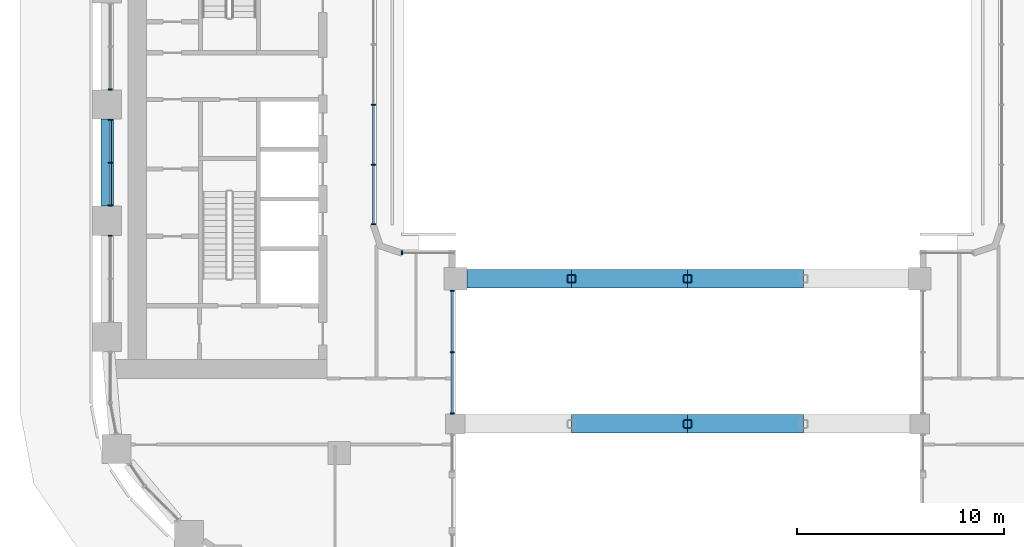
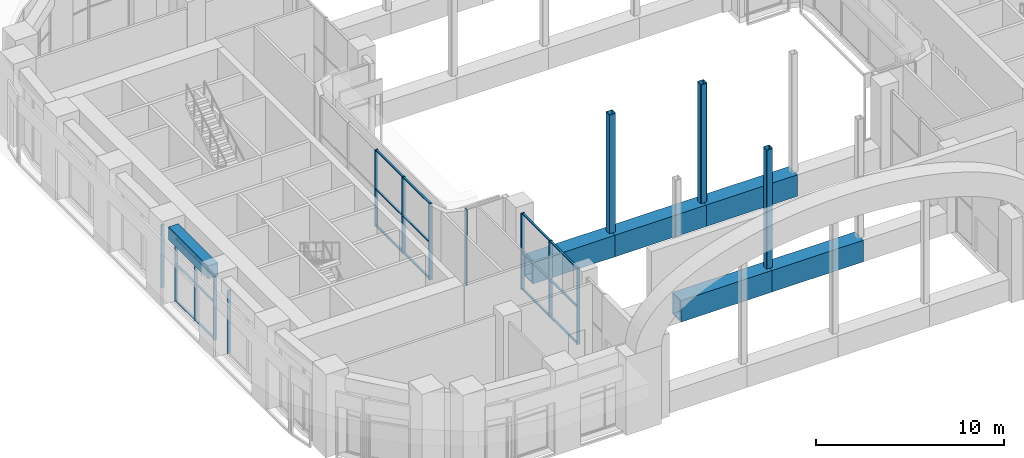
# One storey, part 3 of 27: 38 members, 1 beam, 6 elements without a shape of their own.
"""IFC4 building model written with IfcOpenShell, lengths in metres."""

from ifc_helpers import new_model, si_unit, direction, frame, origin, origin_2d, place, context, subcontext, project, spatial, rectangle, hollow_rectangle, extrude, material, layer, layer_set, material_profile, profile_set, type_object, element, aggregate, save


model = new_model("IFC4")

# Units and contexts
model_context = context("Model", 3, precision=1e-05, world=origin(), true_north=direction((0.0, 1.0)))
body_context = subcontext(model_context, "Body", "Model", "MODEL_VIEW")
ifc_project = project(units=[si_unit("LENGTHUNIT", "METRE"), si_unit("AREAUNIT", "SQUARE_METRE"), si_unit("VOLUMEUNIT", "CUBIC_METRE"), si_unit("PLANEANGLEUNIT", "RADIAN"), si_unit("MASSUNIT", "GRAM", prefix="KILO")], contexts=[model_context])

# Site, building, storey
site_placement = place(None, origin())
site = spatial("IfcSite", under=ifc_project, at=site_placement, CompositionType="ELEMENT")
building_placement = place(site_placement, origin())
building = spatial("IfcBuilding", under=site, at=building_placement, Name="Kiln Ring Residences", CompositionType="ELEMENT")
storey_placement = place(building_placement, frame((0.0, 0.0, 72.5)))
storey = spatial("IfcBuildingStorey", under=building, at=storey_placement, Name="L18", CompositionType="ELEMENT", Elevation=72.5)

# Members
ifc_material_1 = material(Name="Steel S460", Category="steel")
ifc_material_profile_1 = material_profile(ifc_material_1, hollow_rectangle(XDim=0.89990234375, YDim=1.39990234375, WallThickness=0.080078125, at=origin_2d()), Name="BOX1400x900x80")
ifc_profile_set_1 = profile_set([ifc_material_profile_1], Name="Steel S460")
member_type_1 = type_object("IfcMemberType", Name="Bridge truss chord BOX1400x900x80 S460", PredefinedType="CHORD", material=ifc_profile_set_1)
for number, where, z_axis, x_axis, name in (
    (1, (-5.60009765625, -15.39990234375, 0.699951171875), (1.0, 0.0, 0.0), (0.0, 1.0, 0.0), "Bridge truss chord L18 6"),
    (2, (0.0, -15.39990234375, 0.699951171875), (1.0, 0.0, 0.0), (0.0, 1.0, 0.0), "Bridge truss chord L18 7"),
):
    element("IfcMember", number, at=place(storey_placement, frame(where, z_axis=z_axis, x_axis=x_axis)), inside=storey, type_object=member_type_1, Name=name, PredefinedType="CHORD", context=body_context, shape_type="SweptSolid", body=[
        extrude(hollow_rectangle(XDim=0.89990234375, YDim=1.39990234375, WallThickness=0.080078125, at=origin_2d()), origin(), (0.0, 0.0, 1.0), 5.60009765625),
    ])
member_1_placement = place(storey_placement, frame((-10.64990234375, -8.39990234375, 0.699951171875), z_axis=(1.0, 0.0, 0.0), x_axis=(0.0, 1.0, 0.0)))
element("IfcMember", 3, at=member_1_placement, inside=storey, type_object=member_type_1, Name="Bridge truss chord L18 9", PredefinedType="CHORD", context=body_context, shape_type="SweptSolid", body=[
    extrude(hollow_rectangle(XDim=0.89990234375, YDim=1.39990234375, WallThickness=0.080078125, at=origin_2d()), origin(), (0.0, 0.0, 1.0), 5.0498046875),
])
for number, where, z_axis, x_axis, name in (
    (4, (-5.60009765625, -8.39990234375, 0.699951171875), (1.0, 0.0, 0.0), (0.0, 1.0, 0.0), "Bridge truss chord L18 10"),
    (5, (0.0, -8.39990234375, 0.699951171875), (1.0, 0.0, 0.0), (0.0, 1.0, 0.0), "Bridge truss chord L18 11"),
):
    element("IfcMember", number, at=place(storey_placement, frame(where, z_axis=z_axis, x_axis=x_axis)), inside=storey, type_object=member_type_1, Name=name, PredefinedType="CHORD", context=body_context, shape_type="SweptSolid", body=[
        extrude(hollow_rectangle(XDim=0.89990234375, YDim=1.39990234375, WallThickness=0.080078125, at=origin_2d()), origin(), (0.0, 0.0, 1.0), 5.60009765625),
    ])
ifc_material_2 = material(Name="Steel S355", Category="steel")
ifc_material_profile_2 = material_profile(ifc_material_2, hollow_rectangle(XDim=0.39990234375, YDim=0.39990234375, WallThickness=0.02490234375, InnerFilletRadius=0.02490234375, OuterFilletRadius=0.0625, at=origin_2d()), Name="SHS400x400x25")
ifc_profile_set_2 = profile_set([ifc_material_profile_2], Name="Steel S355")
member_type_2 = type_object("IfcMemberType", Name="Bridge truss post SHS400x400x25 S355", PredefinedType="POST", material=ifc_profile_set_2)
for number, where, z_axis, x_axis, name in (
    (6, (0.0, -15.39990234375, 1.39990234375), (0.0, 0.0, 1.0), (1.0, 0.0, 0.0), "Bridge truss post L18 5"),
    (7, (-5.60009765625, -8.39990234375, 1.39990234375), (0.0, 0.0, 1.0), (1.0, 0.0, 0.0), "Bridge truss post L18 7"),
    (8, (0.0, -8.39990234375, 1.39990234375), (0.0, 0.0, 1.0), (1.0, 0.0, 0.0), "Bridge truss post L18 8"),
):
    element("IfcMember", number, at=place(storey_placement, frame(where, z_axis=z_axis, x_axis=x_axis)), inside=storey, type_object=member_type_2, Name=name, PredefinedType="POST", context=body_context, shape_type="SweptSolid", body=[
        extrude(hollow_rectangle(XDim=0.39990234375, YDim=0.39990234375, WallThickness=0.02490234375, InnerFilletRadius=0.02490234375, OuterFilletRadius=0.0625, at=origin_2d()), origin(), (0.0, 0.0, 1.0), 7.7001953125),
    ])

# Curtain wall, members
ifc_material_3 = material(Name="Aluminium and glass", Category="aluminium")
ifc_layer = layer(ifc_material_3, 0.199951171875)
ifc_layer_set = layer_set([ifc_layer], Name="CW1 CURTAIN WALL")
curtain_wall_type = type_object("IfcCurtainWallType", Name="CW1 CURTAIN WALL", PredefinedType="NOTDEFINED", material=ifc_layer_set)
placement = place(storey_placement, origin())
curtain_wall_1 = element("IfcCurtainWall", 9, at=placement, inside=storey, type_object=curtain_wall_type, Name="Curtain wall CW1 L18", PredefinedType="NOTDEFINED")
ifc_material_4 = material(Name="Aluminium 6063-T6", Category="aluminium")
ifc_material_profile_3 = material_profile(ifc_material_4, rectangle(XDim=0.199951171875, YDim=0.06005859375, at=origin_2d()), Name="AL 200x60")
ifc_profile_set_3 = profile_set([ifc_material_profile_3], Name="Aluminium 6063-T6")
member_type_3 = type_object("IfcMemberType", Name="CW1 MULLION 200 x 60", PredefinedType="MULLION", material=ifc_profile_set_3)
member_2_placement = place(storey_placement, frame((-11.35009765625, -14.89501953125, 0.0), z_axis=(0.0, 0.0, 1.0), x_axis=(-1.0, 0.0, 0.0)))
member_2 = element("IfcMember", 10, at=member_2_placement, type_object=member_type_3, Name="CW1 mullion 1", PredefinedType="MULLION", context=body_context, shape_type="SweptSolid", body=[
    extrude(rectangle(XDim=0.199951171875, YDim=0.06005859375, at=origin_2d()), origin(), (0.0, 0.0, 1.0), 4.949951171875),
])
member_3_placement = place(storey_placement, frame((-11.35009765625, -11.9375, 0.0), z_axis=(0.0, 0.0, 1.0), x_axis=(-1.0, 0.0, 0.0)))
member_3 = element("IfcMember", 11, at=member_3_placement, type_object=member_type_3, Name="CW1 mullion 2", PredefinedType="MULLION", context=body_context, shape_type="SweptSolid", body=[
    extrude(rectangle(XDim=0.199951171875, YDim=0.06005859375, at=origin_2d()), origin(), (0.0, 0.0, 1.0), 4.949951171875),
])
member_4_placement = place(storey_placement, frame((-11.35009765625, -8.97998046875, 0.0), z_axis=(0.0, 0.0, 1.0), x_axis=(-1.0, 0.0, 0.0)))
member_4 = element("IfcMember", 12, at=member_4_placement, type_object=member_type_3, Name="CW1 mullion 3", PredefinedType="MULLION", context=body_context, shape_type="SweptSolid", body=[
    extrude(rectangle(XDim=0.199951171875, YDim=0.06005859375, at=origin_2d()), origin(), (0.0, 0.0, 1.0), 4.949951171875),
])

# Curtain wall, member
curtain_wall_2 = element("IfcCurtainWall", 13, at=placement, inside=storey, type_object=curtain_wall_type, Name="Curtain wall CW1 L18", PredefinedType="NOTDEFINED")
member_5_placement = place(storey_placement, frame((-13.77001953125, -7.14990234375, 0.0), z_axis=(0.0, 0.0, 1.0), x_axis=(0.0, -1.0, 0.0)))
member_5 = element("IfcMember", 14, at=member_5_placement, type_object=member_type_3, Name="CW1 mullion 2", PredefinedType="MULLION", context=body_context, shape_type="SweptSolid", body=[
    extrude(rectangle(XDim=0.199951171875, YDim=0.06005859375, at=origin_2d()), origin(), (0.0, 0.0, 1.0), 4.949951171875),
])
aggregate(curtain_wall_2, [member_5])

# Curtain wall, members
curtain_wall_3 = element("IfcCurtainWall", 15, at=placement, inside=storey, type_object=curtain_wall_type, Name="Curtain wall CW1 L18", PredefinedType="NOTDEFINED")
member_6_placement = place(storey_placement, frame((-15.14990234375, -5.77001953125, 0.0), z_axis=(0.0, 0.0, 1.0), x_axis=(-1.0, 0.0, 0.0)))
member_6 = element("IfcMember", 16, at=member_6_placement, type_object=member_type_3, Name="CW1 mullion 1", PredefinedType="MULLION", context=body_context, shape_type="SweptSolid", body=[
    extrude(rectangle(XDim=0.199951171875, YDim=0.06005859375, at=origin_2d()), origin(), (0.0, 0.0, 1.0), 4.949951171875),
])
member_7_placement = place(storey_placement, frame((-15.14990234375, -2.89990234375, 0.0), z_axis=(0.0, 0.0, 1.0), x_axis=(-1.0, 0.0, 0.0)))
member_7 = element("IfcMember", 17, at=member_7_placement, type_object=member_type_3, Name="CW1 mullion 2", PredefinedType="MULLION", context=body_context, shape_type="SweptSolid", body=[
    extrude(rectangle(XDim=0.199951171875, YDim=0.06005859375, at=origin_2d()), origin(), (0.0, 0.0, 1.0), 4.949951171875),
])
member_8_placement = place(storey_placement, frame((-15.14990234375, 0.0, 0.0), z_axis=(0.0, 0.0, 1.0), x_axis=(-1.0, 0.0, 0.0)))
member_8 = element("IfcMember", 18, at=member_8_placement, type_object=member_type_3, Name="CW1 mullion 3", PredefinedType="MULLION", context=body_context, shape_type="SweptSolid", body=[
    extrude(rectangle(XDim=0.199951171875, YDim=0.06005859375, at=origin_2d()), origin(), (0.0, 0.0, 1.0), 4.949951171875),
])

# Curtain wall, member
curtain_wall_4 = element("IfcCurtainWall", 19, at=placement, inside=storey, type_object=curtain_wall_type, Name="Curtain wall CW1 L18", PredefinedType="NOTDEFINED")
member_9_placement = place(storey_placement, frame((-27.85009765625, 0.72998046875, 0.0), z_axis=(0.0, 0.0, 1.0), x_axis=(1.0, 0.0, 0.0)))
member_9 = element("IfcMember", 20, at=member_9_placement, type_object=member_type_3, Name="CW1 mullion 3", PredefinedType="MULLION", context=body_context, shape_type="SweptSolid", body=[
    extrude(rectangle(XDim=0.199951171875, YDim=0.06005859375, at=origin_2d()), origin(), (0.0, 0.0, 1.0), 4.10009765625),
])
aggregate(curtain_wall_4, [member_9])

# Curtain wall, members
curtain_wall_5 = element("IfcCurtainWall", 21, at=placement, inside=storey, type_object=curtain_wall_type, Name="Curtain wall CW1 L18", PredefinedType="NOTDEFINED")
member_10_placement = place(storey_placement, frame((-27.85009765625, -0.72998046875, 0.0), z_axis=(0.0, 0.0, 1.0), x_axis=(1.0, 0.0, 0.0)))
member_10 = element("IfcMember", 22, at=member_10_placement, type_object=member_type_3, Name="CW1 mullion 1", PredefinedType="MULLION", context=body_context, shape_type="SweptSolid", body=[
    extrude(rectangle(XDim=0.199951171875, YDim=0.06005859375, at=origin_2d()), origin(), (0.0, 0.0, 1.0), 4.10009765625),
])
member_11_placement = place(storey_placement, frame((-27.85009765625, -2.800048828125, 0.0), z_axis=(0.0, 0.0, 1.0), x_axis=(1.0, 0.0, 0.0)))
member_11 = element("IfcMember", 23, at=member_11_placement, type_object=member_type_3, Name="CW1 mullion 2", PredefinedType="MULLION", context=body_context, shape_type="SweptSolid", body=[
    extrude(rectangle(XDim=0.199951171875, YDim=0.06005859375, at=origin_2d()), origin(), (0.0, 0.0, 1.0), 4.10009765625),
])
member_12_placement = place(storey_placement, frame((-27.85009765625, -4.8701171875, 0.0), z_axis=(0.0, 0.0, 1.0), x_axis=(1.0, 0.0, 0.0)))
member_12 = element("IfcMember", 24, at=member_12_placement, type_object=member_type_3, Name="CW1 mullion 3", PredefinedType="MULLION", context=body_context, shape_type="SweptSolid", body=[
    extrude(rectangle(XDim=0.199951171875, YDim=0.06005859375, at=origin_2d()), origin(), (0.0, 0.0, 1.0), 4.10009765625),
])

# Curtain wall, member
curtain_wall_6 = element("IfcCurtainWall", 25, at=placement, inside=storey, type_object=curtain_wall_type, Name="Curtain wall CW1 L18", PredefinedType="NOTDEFINED")
member_13_placement = place(storey_placement, frame((-27.85009765625, -6.330078125, 0.0), z_axis=(0.0, 0.0, 1.0), x_axis=(1.0, 0.0, 0.0)))
member_13 = element("IfcMember", 26, at=member_13_placement, type_object=member_type_3, Name="CW1 mullion 1", PredefinedType="MULLION", context=body_context, shape_type="SweptSolid", body=[
    extrude(rectangle(XDim=0.199951171875, YDim=0.06005859375, at=origin_2d()), origin(), (0.0, 0.0, 1.0), 4.10009765625),
])
aggregate(curtain_wall_6, [member_13])

# Member
ifc_material_5 = material(Name="Aluminium 6063-T6", Category="aluminium")
ifc_material_profile_4 = material_profile(ifc_material_5, rectangle(XDim=0.1201171875, YDim=0.06005859375, at=origin_2d()), Name="AL 120x60")
ifc_profile_set_4 = profile_set([ifc_material_profile_4], Name="Aluminium 6063-T6")
member_type_4 = type_object("IfcMemberType", Name="CW1 TRANSOM 120 x 60", PredefinedType="USERDEFINED", material=ifc_profile_set_4)
member_14_placement = place(storey_placement, frame((-11.35009765625, -14.864990234375, 0.030029296875), z_axis=(0.0, 1.0, 0.0), x_axis=(-1.0, 0.0, 0.0)))
member_14 = element("IfcMember", 27, at=member_14_placement, type_object=member_type_4, Name="CW1 transom 1.1", ObjectType="TRANSOM", PredefinedType="USERDEFINED", context=body_context, shape_type="SweptSolid", body=[
    extrude(rectangle(XDim=0.1201171875, YDim=0.06005859375, at=origin_2d()), origin(), (0.0, 0.0, 1.0), 2.8974609375),
])

member_15_placement = place(storey_placement, frame((-11.35009765625, -14.864990234375, 2.39990234375), z_axis=(0.0, 1.0, 0.0), x_axis=(-1.0, 0.0, 0.0)))
member_15 = element("IfcMember", 28, at=member_15_placement, type_object=member_type_4, Name="CW1 transom 1.2", ObjectType="TRANSOM", PredefinedType="USERDEFINED", context=body_context, shape_type="SweptSolid", body=[
    extrude(rectangle(XDim=0.1201171875, YDim=0.06005859375, at=origin_2d()), origin(), (0.0, 0.0, 1.0), 2.8974609375),
])

member_16_placement = place(storey_placement, frame((-11.35009765625, -14.864990234375, 4.919921875), z_axis=(0.0, 1.0, 0.0), x_axis=(-1.0, 0.0, 0.0)))
member_16 = element("IfcMember", 29, at=member_16_placement, type_object=member_type_4, Name="CW1 transom 1.3", ObjectType="TRANSOM", PredefinedType="USERDEFINED", context=body_context, shape_type="SweptSolid", body=[
    extrude(rectangle(XDim=0.1201171875, YDim=0.06005859375, at=origin_2d()), origin(), (0.0, 0.0, 1.0), 2.8974609375),
])

member_17_placement = place(storey_placement, frame((-11.35009765625, -11.907470703125, 0.030029296875), z_axis=(0.0, 1.0, 0.0), x_axis=(-1.0, 0.0, 0.0)))
member_17 = element("IfcMember", 30, at=member_17_placement, type_object=member_type_4, Name="CW1 transom 2.1", ObjectType="TRANSOM", PredefinedType="USERDEFINED", context=body_context, shape_type="SweptSolid", body=[
    extrude(rectangle(XDim=0.1201171875, YDim=0.06005859375, at=origin_2d()), origin(), (0.0, 0.0, 1.0), 2.8974609375),
])

member_18_placement = place(storey_placement, frame((-11.35009765625, -11.907470703125, 2.39990234375), z_axis=(0.0, 1.0, 0.0), x_axis=(-1.0, 0.0, 0.0)))
member_18 = element("IfcMember", 31, at=member_18_placement, type_object=member_type_4, Name="CW1 transom 2.2", ObjectType="TRANSOM", PredefinedType="USERDEFINED", context=body_context, shape_type="SweptSolid", body=[
    extrude(rectangle(XDim=0.1201171875, YDim=0.06005859375, at=origin_2d()), origin(), (0.0, 0.0, 1.0), 2.8974609375),
])

member_19_placement = place(storey_placement, frame((-11.35009765625, -11.907470703125, 4.919921875), z_axis=(0.0, 1.0, 0.0), x_axis=(-1.0, 0.0, 0.0)))
member_19 = element("IfcMember", 32, at=member_19_placement, type_object=member_type_4, Name="CW1 transom 2.3", ObjectType="TRANSOM", PredefinedType="USERDEFINED", context=body_context, shape_type="SweptSolid", body=[
    extrude(rectangle(XDim=0.1201171875, YDim=0.06005859375, at=origin_2d()), origin(), (0.0, 0.0, 1.0), 2.8974609375),
])

aggregate(curtain_wall_1, [member_2, member_3, member_4, member_14, member_15, member_16, member_17, member_18, member_19])

member_20_placement = place(storey_placement, frame((-15.14990234375, -5.739990234375, 0.030029296875), z_axis=(0.0, 1.0, 0.0), x_axis=(-1.0, 0.0, 0.0)))
member_20 = element("IfcMember", 33, at=member_20_placement, type_object=member_type_4, Name="CW1 transom 1.1", ObjectType="TRANSOM", PredefinedType="USERDEFINED", context=body_context, shape_type="SweptSolid", body=[
    extrude(rectangle(XDim=0.1201171875, YDim=0.06005859375, at=origin_2d()), origin(), (0.0, 0.0, 1.0), 2.81005859375),
])

member_21_placement = place(storey_placement, frame((-15.14990234375, -5.739990234375, 2.39990234375), z_axis=(0.0, 1.0, 0.0), x_axis=(-1.0, 0.0, 0.0)))
member_21 = element("IfcMember", 34, at=member_21_placement, type_object=member_type_4, Name="CW1 transom 1.2", ObjectType="TRANSOM", PredefinedType="USERDEFINED", context=body_context, shape_type="SweptSolid", body=[
    extrude(rectangle(XDim=0.1201171875, YDim=0.06005859375, at=origin_2d()), origin(), (0.0, 0.0, 1.0), 2.81005859375),
])

member_22_placement = place(storey_placement, frame((-15.14990234375, -5.739990234375, 4.919921875), z_axis=(0.0, 1.0, 0.0), x_axis=(-1.0, 0.0, 0.0)))
member_22 = element("IfcMember", 35, at=member_22_placement, type_object=member_type_4, Name="CW1 transom 1.3", ObjectType="TRANSOM", PredefinedType="USERDEFINED", context=body_context, shape_type="SweptSolid", body=[
    extrude(rectangle(XDim=0.1201171875, YDim=0.06005859375, at=origin_2d()), origin(), (0.0, 0.0, 1.0), 2.81005859375),
])

member_23_placement = place(storey_placement, frame((-15.14990234375, -2.8701171875, 0.030029296875), z_axis=(0.0, 1.0, 0.0), x_axis=(-1.0, 0.0, 0.0)))
member_23 = element("IfcMember", 36, at=member_23_placement, type_object=member_type_4, Name="CW1 transom 2.1", ObjectType="TRANSOM", PredefinedType="USERDEFINED", context=body_context, shape_type="SweptSolid", body=[
    extrude(rectangle(XDim=0.1201171875, YDim=0.06005859375, at=origin_2d()), origin(), (0.0, 0.0, 1.0), 2.840087890625),
])

member_24_placement = place(storey_placement, frame((-15.14990234375, -2.8701171875, 2.39990234375), z_axis=(0.0, 1.0, 0.0), x_axis=(-1.0, 0.0, 0.0)))
member_24 = element("IfcMember", 37, at=member_24_placement, type_object=member_type_4, Name="CW1 transom 2.2", ObjectType="TRANSOM", PredefinedType="USERDEFINED", context=body_context, shape_type="SweptSolid", body=[
    extrude(rectangle(XDim=0.1201171875, YDim=0.06005859375, at=origin_2d()), origin(), (0.0, 0.0, 1.0), 2.840087890625),
])

member_25_placement = place(storey_placement, frame((-15.14990234375, -2.8701171875, 4.919921875), z_axis=(0.0, 1.0, 0.0), x_axis=(-1.0, 0.0, 0.0)))
member_25 = element("IfcMember", 38, at=member_25_placement, type_object=member_type_4, Name="CW1 transom 2.3", ObjectType="TRANSOM", PredefinedType="USERDEFINED", context=body_context, shape_type="SweptSolid", body=[
    extrude(rectangle(XDim=0.1201171875, YDim=0.06005859375, at=origin_2d()), origin(), (0.0, 0.0, 1.0), 2.840087890625),
])

aggregate(curtain_wall_3, [member_6, member_7, member_8, member_20, member_21, member_22, member_23, member_24, member_25])

member_26_placement = place(storey_placement, frame((-27.85009765625, -0.760009765625, 0.030029296875), z_axis=(0.0, -1.0, 0.0), x_axis=(1.0, 0.0, 0.0)))
member_26 = element("IfcMember", 39, at=member_26_placement, type_object=member_type_4, Name="CW1 transom 1.1", ObjectType="TRANSOM", PredefinedType="USERDEFINED", context=body_context, shape_type="SweptSolid", body=[
    extrude(rectangle(XDim=0.1201171875, YDim=0.06005859375, at=origin_2d()), origin(), (0.0, 0.0, 1.0), 2.010009765625),
])

member_27_placement = place(storey_placement, frame((-27.85009765625, -0.760009765625, 2.39990234375), z_axis=(0.0, -1.0, 0.0), x_axis=(1.0, 0.0, 0.0)))
member_27 = element("IfcMember", 40, at=member_27_placement, type_object=member_type_4, Name="CW1 transom 1.2", ObjectType="TRANSOM", PredefinedType="USERDEFINED", context=body_context, shape_type="SweptSolid", body=[
    extrude(rectangle(XDim=0.1201171875, YDim=0.06005859375, at=origin_2d()), origin(), (0.0, 0.0, 1.0), 2.010009765625),
])

member_28_placement = place(storey_placement, frame((-27.85009765625, -0.760009765625, 4.070068359375), z_axis=(0.0, -1.0, 0.0), x_axis=(1.0, 0.0, 0.0)))
member_28 = element("IfcMember", 41, at=member_28_placement, type_object=member_type_4, Name="CW1 transom 1.3", ObjectType="TRANSOM", PredefinedType="USERDEFINED", context=body_context, shape_type="SweptSolid", body=[
    extrude(rectangle(XDim=0.1201171875, YDim=0.06005859375, at=origin_2d()), origin(), (0.0, 0.0, 1.0), 2.010009765625),
])

member_29_placement = place(storey_placement, frame((-27.85009765625, -2.830078125, 0.030029296875), z_axis=(0.0, -1.0, 0.0), x_axis=(1.0, 0.0, 0.0)))
member_29 = element("IfcMember", 42, at=member_29_placement, type_object=member_type_4, Name="CW1 transom 2.1", ObjectType="TRANSOM", PredefinedType="USERDEFINED", context=body_context, shape_type="SweptSolid", body=[
    extrude(rectangle(XDim=0.1201171875, YDim=0.06005859375, at=origin_2d()), origin(), (0.0, 0.0, 1.0), 2.010009765625),
])

member_30_placement = place(storey_placement, frame((-27.85009765625, -2.830078125, 2.39990234375), z_axis=(0.0, -1.0, 0.0), x_axis=(1.0, 0.0, 0.0)))
member_30 = element("IfcMember", 43, at=member_30_placement, type_object=member_type_4, Name="CW1 transom 2.2", ObjectType="TRANSOM", PredefinedType="USERDEFINED", context=body_context, shape_type="SweptSolid", body=[
    extrude(rectangle(XDim=0.1201171875, YDim=0.06005859375, at=origin_2d()), origin(), (0.0, 0.0, 1.0), 2.010009765625),
])

member_31_placement = place(storey_placement, frame((-27.85009765625, -2.830078125, 4.070068359375), z_axis=(0.0, -1.0, 0.0), x_axis=(1.0, 0.0, 0.0)))
member_31 = element("IfcMember", 44, at=member_31_placement, type_object=member_type_4, Name="CW1 transom 2.3", ObjectType="TRANSOM", PredefinedType="USERDEFINED", context=body_context, shape_type="SweptSolid", body=[
    extrude(rectangle(XDim=0.1201171875, YDim=0.06005859375, at=origin_2d()), origin(), (0.0, 0.0, 1.0), 2.010009765625),
])

aggregate(curtain_wall_5, [member_10, member_11, member_12, member_26, member_27, member_28, member_29, member_30, member_31])

# Beam
ifc_material_6 = material(Name="Concrete C50/60", Category="concrete")
ifc_material_profile_5 = material_profile(ifc_material_6, rectangle(XDim=0.60009765625, YDim=0.85009765625, at=origin_2d()), Name="RC600x850")
ifc_profile_set_5 = profile_set([ifc_material_profile_5], Name="Concrete C50/60")
beam_type = type_object("IfcBeamType", Name="Spandrel beam RC600x850 C50/60", PredefinedType="SPANDREL", material=ifc_profile_set_5)
beam_placement = place(storey_placement, frame((-28.0, -0.699951171875, 4.52490234375), z_axis=(0.0, -1.0, 0.0), x_axis=(1.0, 0.0, 0.0)))
element("IfcBeam", 45, at=beam_placement, inside=storey, type_object=beam_type, Name="Spandrel beam L18 21", PredefinedType="SPANDREL", context=body_context, shape_type="SweptSolid", body=[
    extrude(rectangle(XDim=0.60009765625, YDim=0.85009765625, at=origin_2d()), origin(), (0.0, 0.0, 1.0), 4.199951171875),
])

save(model, "model.ifc")
